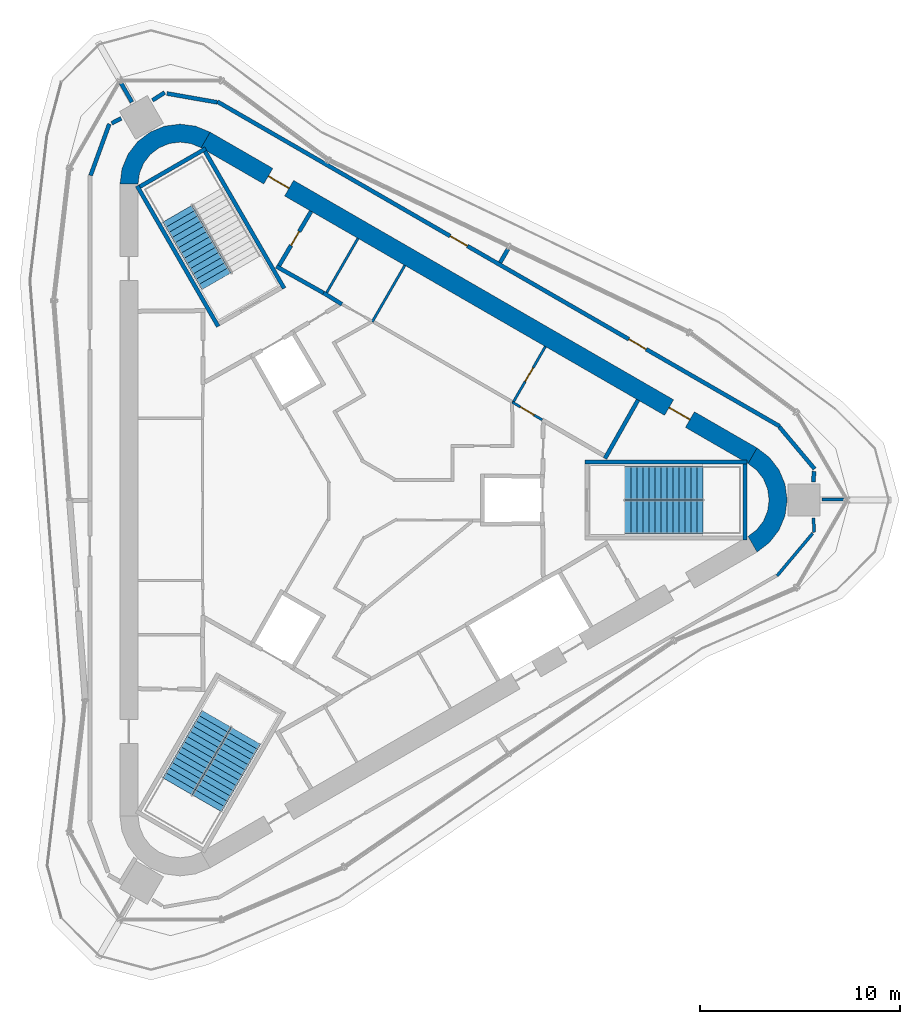
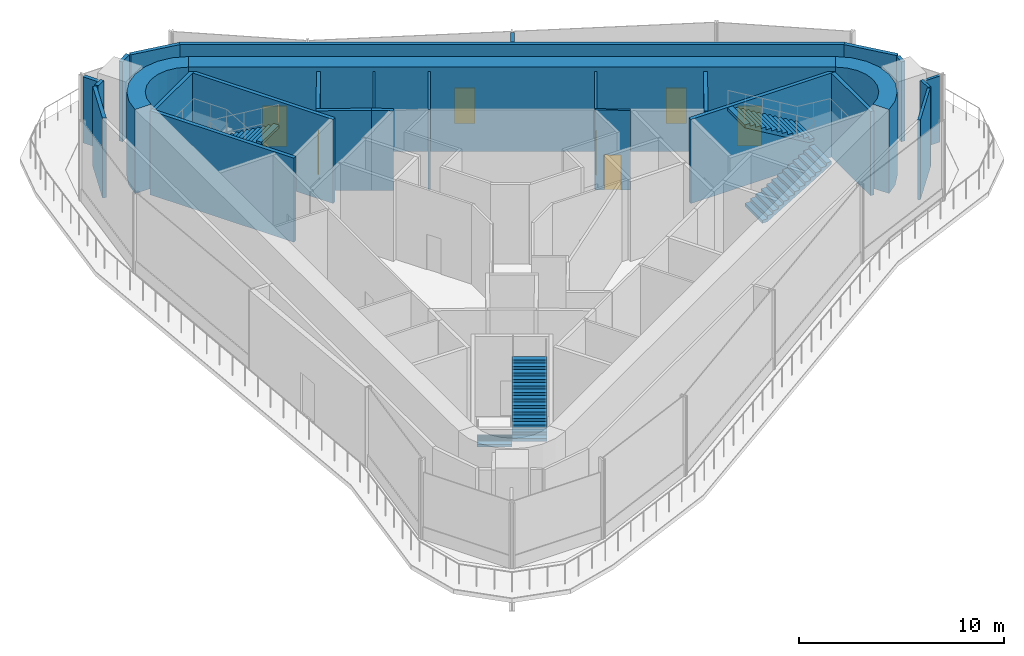
# One storey, part 6 of 9: 28 walls, 7 doors, 5 stair flights, 7 openings, 3 elements without a shape of their own.
"""IFC4 building model written with IfcOpenShell, lengths in metres."""

from ifc_helpers import new_model, si_unit, direction, frame, frame_2d, origin, place, context, subcontext, project, spatial, polyline, rectangle, outline, extrude, material, layer, layer_set, type_object, element, fill, aggregate, save


model = new_model("IFC4")

# Units and contexts
model_context = context("Model", 3, precision=1e-05, world=origin(), true_north=direction((0.0, 1.0)))
body_context = subcontext(model_context, "Body", "Model", "MODEL_VIEW")
ifc_project = project(units=[si_unit("LENGTHUNIT", "METRE"), si_unit("AREAUNIT", "SQUARE_METRE"), si_unit("VOLUMEUNIT", "CUBIC_METRE"), si_unit("PLANEANGLEUNIT", "RADIAN"), si_unit("MASSUNIT", "GRAM", prefix="KILO")], contexts=[model_context])

# Site, building, storey
site_placement = place(None, origin())
site = spatial("IfcSite", under=ifc_project, at=site_placement, CompositionType="ELEMENT")
building_placement = place(site_placement, origin())
building = spatial("IfcBuilding", under=site, at=building_placement, Name="Tanit Gate Tower", CompositionType="ELEMENT")
storey_placement = place(building_placement, frame((0.0, 0.0, 430.300048828125)))
storey = spatial("IfcBuildingStorey", under=building, at=storey_placement, Name="L97", CompositionType="ELEMENT", Elevation=430.300048828125)

# Wall, openings, doors
ifc_material_1 = material(Name="Concrete C40/50", Category="concrete")
ifc_layer_1 = layer(ifc_material_1, 0.89990234375)
ifc_layer_set_1 = layer_set([ifc_layer_1], Name="CORE WALL 900 C40/50")
wall_type_1 = type_object("IfcWallType", Name="CORE WALL 900 C40/50", PredefinedType="SHEAR", material=ifc_layer_set_1)
wall_1_placement = place(storey_placement, frame((19.47509765625, 2.20849609375, 0.0), z_axis=(0.0, 0.0, 1.0), x_axis=(-0.866028369851, 0.499994862586, 0.0)))
wall_1 = element("IfcWall", 1, at=wall_1_placement, inside=storey, type_object=wall_type_1, Name="CORE WALL", PredefinedType="SHEAR", context=body_context, shape_type="SweptSolid", body=[
    extrude(rectangle(XDim=31.523193359375, YDim=0.89990234375, at=frame_2d((15.76171875, 0.0))), origin(), (0.0, 0.0, 1.0), 5.0),
])
opening_1_placement = place(wall_1_placement, frame((3.611572265625, 0.0, 0.0)))
opening_1 = element("IfcOpeningElement", 2, at=opening_1_placement, cuts=wall_1, Name="Opening F12-97-FL1", PredefinedType="OPENING", context=body_context, shape_type="SweptSolid", body=[
    extrude(rectangle(XDim=1.199951171875, YDim=2.39990234375, at=frame_2d((0.60009765625, 1.199951171875))), frame((0.0, 0.4599609375, 0.0), z_axis=(0.0, -1.0, 0.0), x_axis=(1.0, 0.0, 0.0)), (0.0, 0.0, 1.0), 0.919921875),
])
opening_2_placement = place(wall_1_placement, frame((26.711669921875, 0.0, 0.0)))
opening_2 = element("IfcOpeningElement", 3, at=opening_2_placement, cuts=wall_1, Name="Opening F12-97-S2", PredefinedType="OPENING", context=body_context, shape_type="SweptSolid", body=[
    extrude(rectangle(XDim=1.199951171875, YDim=2.39990234375, at=frame_2d((0.60009765625, 1.199951171875))), frame((0.0, 0.4599609375, 0.0), z_axis=(0.0, -1.0, 0.0), x_axis=(1.0, 0.0, 0.0)), (0.0, 0.0, 1.0), 0.919921875),
])
ifc_material_2 = material(Name="Fire-rated steel door leaf", Category="steel")
door_type_1 = type_object("IfcDoorType", Name="INT-DOOR-FIRE-LOBBY-1200", OperationType="NOTDEFINED", PredefinedType="USERDEFINED", material=ifc_material_2)
door_1_placement = place(opening_1_placement, origin())
door_1 = element("IfcDoor", 4, at=door_1_placement, inside=storey, type_object=door_type_1, Name="Door F12-97-FL1", ObjectType="FIRE DOOR", OperationType="SINGLE_SWING_LEFT", OverallHeight=2.39990234375, OverallWidth=1.199951171875, PredefinedType="USERDEFINED", context=body_context, shape_type="SweptSolid", body=[
    extrude(rectangle(XDim=1.199951171875, YDim=2.39990234375, at=frame_2d((0.60009765625, 1.199951171875))), frame((0.0, 0.02490234375, 0.0), z_axis=(0.0, -1.0, 0.0), x_axis=(1.0, 0.0, 0.0)), (0.0, 0.0, 1.0), 0.050048828125),
])
fill(opening_1, door_1)
door_2_placement = place(opening_2_placement, origin())
door_2 = element("IfcDoor", 5, at=door_2_placement, inside=storey, type_object=door_type_1, Name="Door F12-97-S2", ObjectType="FIRE DOOR", OperationType="SINGLE_SWING_LEFT", OverallHeight=2.39990234375, OverallWidth=1.199951171875, PredefinedType="USERDEFINED", context=body_context, shape_type="SweptSolid", body=[
    extrude(rectangle(XDim=1.199951171875, YDim=2.39990234375, at=frame_2d((0.60009765625, 1.199951171875))), frame((0.0, 0.02490234375, 0.0), z_axis=(0.0, -1.0, 0.0), x_axis=(1.0, 0.0, 0.0)), (0.0, 0.0, 1.0), 0.050048828125),
])
fill(opening_2, door_2)

# Walls
wall_2_placement = place(storey_placement, origin())
element("IfcWall", 6, at=wall_2_placement, inside=storey, type_object=wall_type_1, Name="CORE WALL CORNER", PredefinedType="SHEAR", context=body_context, shape_type="SweptSolid", body=[
    extrude(outline(polyline([(-7.60009765625, 18.359619140625), (-8.323486328125, 18.659423828125), (-9.10009765625, 18.76171875), (-9.87646484375, 18.659423828125), (-10.60009765625, 18.359619140625), (-11.22119140625, 17.883056640625), (-11.697998046875, 17.26171875), (-11.997802734375, 16.5380859375), (-12.10009765625, 15.76171875), (-11.199951171875, 15.76171875), (-11.12841796875, 16.30517578125), (-10.918701171875, 16.811767578125), (-10.5849609375, 17.24658203125), (-10.14990234375, 17.580322265625), (-9.6435546875, 17.7900390625), (-9.10009765625, 17.86181640625), (-8.556396484375, 17.7900390625), (-8.050048828125, 17.580322265625), (-7.60009765625, 18.359619140625)])), origin(), (0.0, 0.0, 1.0), 5.0),
])
wall_3_placement = place(storey_placement, origin())
element("IfcWall", 7, at=wall_3_placement, inside=storey, type_object=wall_type_1, Name="CORE WALL CORNER", PredefinedType="SHEAR", context=body_context, shape_type="SweptSolid", body=[
    extrude(outline(polyline([(19.699951171875, -2.59814453125), (20.3212890625, -2.121337890625), (20.798095703125, -1.5), (21.097900390625, -0.776611328125), (21.199951171875, 0.0), (21.097900390625, 0.776611328125), (20.798095703125, 1.5), (20.3212890625, 2.121337890625), (19.699951171875, 2.59814453125), (19.25, 1.818603515625), (19.684814453125, 1.48486328125), (20.018798828125, 1.050048828125), (20.228515625, 0.54345703125), (20.300048828125, 0.0), (20.228515625, -0.54345703125), (20.018798828125, -1.050048828125), (19.684814453125, -1.48486328125), (19.25, -1.818603515625), (19.699951171875, -2.59814453125)])), origin(), (0.0, 0.0, 1.0), 5.0),
])
ifc_material_3 = material(Name="Fire-rated gypsum board partition")
ifc_layer_2 = layer(ifc_material_3, 0.199951171875)
ifc_layer_set_2 = layer_set([ifc_layer_2], Name="INT-WALL-COMPARTMENT")
wall_type_2 = type_object("IfcWallType", Name="INT-WALL-COMPARTMENT", PredefinedType="PARTITIONING", material=ifc_layer_set_2)
wall_4_placement = place(storey_placement, frame((12.10986328125, 2.07275390625, 0.0), z_axis=(0.0, 0.0, 1.0), x_axis=(0.49196600604, 0.870614408852, 0.0)))
element("IfcWall", 8, at=wall_4_placement, inside=storey, type_object=wall_type_2, Name="Wall Compartment W045", PredefinedType="PARTITIONING", context=body_context, shape_type="SweptSolid", body=[
    extrude(rectangle(XDim=3.35009765625, YDim=0.199951171875, at=frame_2d((1.675048828125, 0.0))), origin(), (0.0, 0.0, 1.0), 4.75),
])
wall_5_placement = place(storey_placement, frame((-1.940673828125, 10.338623046875, 0.0), z_axis=(0.0, 0.0, 1.0), x_axis=(0.850216889117, -0.526432561171, 0.0)))
element("IfcWall", 9, at=wall_5_placement, inside=storey, type_object=wall_type_2, Name="Wall Compartment W051", PredefinedType="PARTITIONING", context=body_context, shape_type="SweptSolid", body=[
    extrude(rectangle(XDim=1.078369140625, YDim=0.199951171875, at=frame_2d((0.5390625, 0.0))), origin(), (0.0, 0.0, 1.0), 4.75),
])
wall_6_placement = place(storey_placement, frame((-4.296142578125, 11.658935546875, 0.0), z_axis=(0.0, 0.0, 1.0), x_axis=(0.871534483978, -0.490334215854, 0.0)))
element("IfcWall", 10, at=wall_6_placement, inside=storey, type_object=wall_type_2, Name="Wall Compartment W053", PredefinedType="PARTITIONING", context=body_context, shape_type="SweptSolid", body=[
    extrude(rectangle(XDim=2.7001953125, YDim=0.199951171875, at=frame_2d((1.35009765625, 0.0))), origin(), (0.0, 0.0, 1.0), 4.75),
])

# Wall, opening, door
wall_7_placement = place(storey_placement, frame((-2.557861328125, 14.409423828125, 0.0), z_axis=(0.0, 0.0, 1.0), x_axis=(-0.508018930956, -0.861345903683, 0.0)))
wall_7 = element("IfcWall", 11, at=wall_7_placement, inside=storey, type_object=wall_type_2, Name="Wall Compartment W054", PredefinedType="PARTITIONING", context=body_context, shape_type="SweptSolid", body=[
    extrude(rectangle(XDim=3.150146484375, YDim=0.199951171875, at=frame_2d((1.5751953125, 0.0))), origin(), (0.0, 0.0, 1.0), 4.75),
])
opening_3_placement = place(wall_7_placement, frame((1.175048828125, 0.0, 0.0)))
opening_3 = element("IfcOpeningElement", 12, at=opening_3_placement, cuts=wall_7, Name="Opening R08-97-21", PredefinedType="OPENING", context=body_context, shape_type="SweptSolid", body=[
    extrude(rectangle(XDim=0.800048828125, YDim=2.10009765625, at=frame_2d((0.39990234375, 1.050048828125))), frame((0.0, 0.10986328125, 0.0), z_axis=(0.0, -1.0, 0.0), x_axis=(1.0, 0.0, 0.0)), (0.0, 0.0, 1.0), 0.219970703125),
])
ifc_material_4 = material(Name="Timber door leaf", Category="wood")
door_type_2 = type_object("IfcDoorType", Name="INT-DOOR-RISER-800", OperationType="NOTDEFINED", PredefinedType="USERDEFINED", material=ifc_material_4)
door_3_placement = place(opening_3_placement, origin())
door_3 = element("IfcDoor", 13, at=door_3_placement, inside=storey, type_object=door_type_2, Name="Door R08-97-21", ObjectType="FIRE DOOR", OperationType="SINGLE_SWING_RIGHT", OverallHeight=2.10009765625, OverallWidth=0.800048828125, PredefinedType="USERDEFINED", context=body_context, shape_type="SweptSolid", body=[
    extrude(rectangle(XDim=0.800048828125, YDim=2.10009765625, at=frame_2d((0.39990234375, 1.050048828125))), frame((0.0, 0.02490234375, 0.0), z_axis=(0.0, -1.0, 0.0), x_axis=(1.0, 0.0, 0.0)), (0.0, 0.0, 1.0), 0.050048828125),
])
fill(opening_3, door_3)

# Walls
wall_8_placement = place(storey_placement, frame((-12.6298828125, 18.771240234375, 0.0), z_axis=(0.0, 0.0, 1.0), x_axis=(-0.342015224264, -0.939694411163, 0.0)))
element("IfcWall", 14, at=wall_8_placement, inside=storey, type_object=wall_type_2, Name="Wall Compartment W097", PredefinedType="PARTITIONING", context=body_context, shape_type="SweptSolid", body=[
    extrude(rectangle(XDim=2.73681640625, YDim=0.199951171875, at=frame_2d((1.368408203125, 0.0))), origin(), (0.0, 0.0, 1.0), 4.75),
])
wall_9_placement = place(storey_placement, frame((-12.03759765625, 19.049560546875, 0.0), z_axis=(0.0, 0.0, 1.0), x_axis=(-0.887186880255, -0.461410272429, 0.0)))
element("IfcWall", 15, at=wall_9_placement, inside=storey, type_object=wall_type_2, Name="Wall Compartment W098", PredefinedType="PARTITIONING", context=body_context, shape_type="SweptSolid", body=[
    extrude(rectangle(XDim=0.534423828125, YDim=0.199951171875, at=frame_2d((0.26708984375, 0.0))), origin(), (0.0, 0.0, 1.0), 4.75),
])
wall_10_placement = place(storey_placement, frame((-11.50146484375, 19.861083984375, 0.0), z_axis=(0.0, 0.0, 1.0), x_axis=(-0.500107244371, 0.865963477364, 0.0)))
element("IfcWall", 16, at=wall_10_placement, inside=storey, type_object=wall_type_2, Name="Wall Compartment W101", PredefinedType="PARTITIONING", context=body_context, shape_type="SweptSolid", body=[
    extrude(rectangle(XDim=1.098388671875, YDim=0.199951171875, at=frame_2d((0.54931640625, 0.0))), origin(), (0.0, 0.0, 1.0), 3.929931640625),
])

# Wall, openings, doors
wall_11_placement = place(storey_placement, frame((20.83447265625, 3.67529296875, 0.0), z_axis=(0.0, 0.0, 1.0), x_axis=(-0.866028536494, 0.499994573949, 0.0)))
wall_11 = element("IfcWall", 17, at=wall_11_placement, inside=storey, type_object=wall_type_2, Name="Wall Compartment W102", PredefinedType="PARTITIONING", context=body_context, shape_type="SweptSolid", body=[
    extrude(rectangle(XDim=32.410888671875, YDim=0.199951171875, at=frame_2d((16.20556640625, 0.0))), origin(), (0.0, 0.0, 1.0), 4.75),
])
opening_4_placement = place(wall_11_placement, frame((7.699951171875, 0.0, 0.0)))
opening_4 = element("IfcOpeningElement", 18, at=opening_4_placement, cuts=wall_11, Name="Opening F10-97-28", PredefinedType="OPENING", context=body_context, shape_type="SweptSolid", body=[
    extrude(rectangle(XDim=1.0, YDim=2.10009765625, at=frame_2d((0.5, 1.050048828125))), frame((0.0, 0.10986328125, 0.0), z_axis=(0.0, -1.0, 0.0), x_axis=(1.0, 0.0, 0.0)), (0.0, 0.0, 1.0), 0.219970703125),
])
opening_5_placement = place(wall_11_placement, frame((18.005615234375, 0.0, 0.0)))
opening_5 = element("IfcOpeningElement", 19, at=opening_5_placement, cuts=wall_11, Name="Opening F10-97-29", PredefinedType="OPENING", context=body_context, shape_type="SweptSolid", body=[
    extrude(rectangle(XDim=1.0, YDim=2.10009765625, at=frame_2d((0.5, 1.050048828125))), frame((0.0, 0.10986328125, 0.0), z_axis=(0.0, -1.0, 0.0), x_axis=(1.0, 0.0, 0.0)), (0.0, 0.0, 1.0), 0.219970703125),
])
ifc_material_5 = material(Name="Fire-rated steel door leaf", Category="steel")
door_type_3 = type_object("IfcDoorType", Name="INT-DOOR-FIRE-1000", OperationType="NOTDEFINED", PredefinedType="USERDEFINED", material=ifc_material_5)
door_4_placement = place(opening_4_placement, origin())
door_4 = element("IfcDoor", 20, at=door_4_placement, inside=storey, type_object=door_type_3, Name="Door F10-97-28", ObjectType="FIRE DOOR", OperationType="SINGLE_SWING_RIGHT", OverallHeight=2.10009765625, OverallWidth=1.0, PredefinedType="USERDEFINED", context=body_context, shape_type="SweptSolid", body=[
    extrude(rectangle(XDim=1.0, YDim=2.10009765625, at=frame_2d((0.5, 1.050048828125))), frame((0.0, 0.02490234375, 0.0), z_axis=(0.0, -1.0, 0.0), x_axis=(1.0, 0.0, 0.0)), (0.0, 0.0, 1.0), 0.050048828125),
])
fill(opening_4, door_4)
door_5_placement = place(opening_5_placement, origin())
door_5 = element("IfcDoor", 21, at=door_5_placement, inside=storey, type_object=door_type_3, Name="Door F10-97-29", ObjectType="FIRE DOOR", OperationType="SINGLE_SWING_LEFT", OverallHeight=2.10009765625, OverallWidth=1.0, PredefinedType="USERDEFINED", context=body_context, shape_type="SweptSolid", body=[
    extrude(rectangle(XDim=1.0, YDim=2.10009765625, at=frame_2d((0.5, 1.050048828125))), frame((0.0, 0.02490234375, 0.0), z_axis=(0.0, -1.0, 0.0), x_axis=(1.0, 0.0, 0.0)), (0.0, 0.0, 1.0), 0.050048828125),
])
fill(opening_5, door_5)

# Walls
wall_12_placement = place(storey_placement, frame((22.5712890625, 1.552001953125, 0.0), z_axis=(0.0, 0.0, 1.0), x_axis=(-0.642777788023, 0.766052684366, 0.0)))
element("IfcWall", 22, at=wall_12_placement, inside=storey, type_object=wall_type_2, Name="Wall Compartment W103", PredefinedType="PARTITIONING", context=body_context, shape_type="SweptSolid", body=[
    extrude(rectangle(XDim=2.737060546875, YDim=0.199951171875, at=frame_2d((1.36865234375, 0.0))), origin(), (0.0, 0.0, 1.0), 4.75),
])
wall_13_placement = place(storey_placement, frame((22.51611328125, 0.89990234375, 0.0), z_axis=(0.0, 0.0, 1.0), x_axis=(0.044289222506, 0.99901875096, 0.0)))
element("IfcWall", 23, at=wall_13_placement, inside=storey, type_object=wall_type_2, Name="Wall Compartment W104", PredefinedType="PARTITIONING", context=body_context, shape_type="SweptSolid", body=[
    extrude(rectangle(XDim=0.53466796875, YDim=0.199951171875, at=frame_2d((0.267333984375, 0.0))), origin(), (0.0, 0.0, 1.0), 4.75),
])
wall_14_placement = place(storey_placement, frame((-9.870361328125, 20.33740234375, 0.0), z_axis=(0.0, 0.0, 1.0), x_axis=(-0.843326891705, -0.537400924569, 0.0)))
element("IfcWall", 24, at=wall_14_placement, inside=storey, type_object=wall_type_2, Name="Wall Compartment W105", PredefinedType="PARTITIONING", context=body_context, shape_type="SweptSolid", body=[
    extrude(rectangle(XDim=0.721435546875, YDim=0.199951171875, at=frame_2d((0.36083984375, 0.0))), origin(), (0.0, 0.0, 1.0), 4.75),
])
wall_15_placement = place(storey_placement, frame((-7.246337890625, 19.84814453125, 0.0), z_axis=(0.0, 0.0, 1.0), x_axis=(-0.984816315713, 0.173599609177, 0.0)))
element("IfcWall", 25, at=wall_15_placement, inside=storey, type_object=wall_type_2, Name="Wall Compartment W106", PredefinedType="PARTITIONING", context=body_context, shape_type="SweptSolid", body=[
    extrude(rectangle(XDim=2.5498046875, YDim=0.199951171875, at=frame_2d((1.27490234375, 0.0))), origin(), (0.0, 0.0, 1.0), 4.75),
])
wall_16_placement = place(storey_placement, frame((7.271240234375, 12.5341796875, 0.0), z_axis=(0.0, 0.0, 1.0), x_axis=(-0.500025443912, -0.866010713236, 0.0)))
element("IfcWall", 26, at=wall_16_placement, inside=storey, type_object=wall_type_2, Name="Wall Compartment W108", PredefinedType="PARTITIONING", context=body_context, shape_type="SweptSolid", body=[
    extrude(rectangle(XDim=0.79052734375, YDim=0.199951171875, at=frame_2d((0.395263671875, 0.0))), origin(), (0.0, 0.0, 1.0), 4.75),
])

# Wall, opening, door
ifc_material_6 = material(Name="Gypsum board partition")
ifc_layer_3 = layer(ifc_material_6, 0.1201171875)
ifc_layer_set_3 = layer_set([ifc_layer_3], Name="INT-WALL-PARTITION")
wall_type_3 = type_object("IfcWallType", Name="INT-WALL-PARTITION", PredefinedType="PARTITIONING", material=ifc_layer_set_3)
wall_17_placement = place(storey_placement, frame((7.50830078125, 4.844970703125, 0.0), z_axis=(0.0, 0.0, 1.0), x_axis=(0.500017246033, 0.866015446554, 0.0)))
wall_17 = element("IfcWall", 27, at=wall_17_placement, inside=storey, type_object=wall_type_3, Name="Wall Partition W044", PredefinedType="PARTITIONING", context=body_context, shape_type="SweptSolid", body=[
    extrude(rectangle(XDim=3.25, YDim=0.1201171875, at=frame_2d((1.625, 0.0))), origin(), (0.0, 0.0, 1.0), 4.75),
])
opening_6_placement = place(wall_17_placement, frame((1.22509765625, 0.0, 0.0)))
opening_6 = element("IfcOpeningElement", 28, at=opening_6_placement, cuts=wall_17, Name="Opening R08-97-19", PredefinedType="OPENING", context=body_context, shape_type="SweptSolid", body=[
    extrude(rectangle(XDim=0.800048828125, YDim=2.10009765625, at=frame_2d((0.39990234375, 1.050048828125))), frame((0.0, 0.070068359375, 0.0), z_axis=(0.0, -1.0, 0.0), x_axis=(1.0, 0.0, 0.0)), (0.0, 0.0, 1.0), 0.14013671875),
])
door_6_placement = place(opening_6_placement, origin())
door_6 = element("IfcDoor", 29, at=door_6_placement, inside=storey, type_object=door_type_2, Name="Door R08-97-19", ObjectType="FIRE DOOR", OperationType="SINGLE_SWING_LEFT", OverallHeight=2.10009765625, OverallWidth=0.800048828125, PredefinedType="USERDEFINED", context=body_context, shape_type="SweptSolid", body=[
    extrude(rectangle(XDim=0.800048828125, YDim=2.10009765625, at=frame_2d((0.39990234375, 1.050048828125))), frame((0.0, 0.02490234375, 0.0), z_axis=(0.0, -1.0, 0.0), x_axis=(1.0, 0.0, 0.0)), (0.0, 0.0, 1.0), 0.050048828125),
])
fill(opening_6, door_6)

wall_18_placement = place(storey_placement, frame((7.4931640625, 4.87841796875, 0.0), z_axis=(0.0, 0.0, 1.0), x_axis=(0.859934455514, -0.510404479035, 0.0)))
wall_18 = element("IfcWall", 30, at=wall_18_placement, inside=storey, type_object=wall_type_3, Name="Wall Partition W047", PredefinedType="PARTITIONING", context=body_context, shape_type="SweptSolid", body=[
    extrude(rectangle(XDim=1.722412109375, YDim=0.1201171875, at=frame_2d((0.861328125, 0.0))), origin(), (0.0, 0.0, 1.0), 4.75),
])
opening_7_placement = place(wall_18_placement, frame((0.461181640625, 0.0, 0.0)))
opening_7 = element("IfcOpeningElement", 31, at=opening_7_placement, cuts=wall_18, Name="Opening R08-97-18", PredefinedType="OPENING", context=body_context, shape_type="SweptSolid", body=[
    extrude(rectangle(XDim=0.800048828125, YDim=2.10009765625, at=frame_2d((0.39990234375, 1.050048828125))), frame((0.0, 0.070068359375, 0.0), z_axis=(0.0, -1.0, 0.0), x_axis=(1.0, 0.0, 0.0)), (0.0, 0.0, 1.0), 0.14013671875),
])
door_7_placement = place(opening_7_placement, origin())
door_7 = element("IfcDoor", 32, at=door_7_placement, inside=storey, type_object=door_type_2, Name="Door R08-97-18", ObjectType="FIRE DOOR", OperationType="SINGLE_SWING_LEFT", OverallHeight=2.10009765625, OverallWidth=0.800048828125, PredefinedType="USERDEFINED", context=body_context, shape_type="SweptSolid", body=[
    extrude(rectangle(XDim=0.800048828125, YDim=2.10009765625, at=frame_2d((0.39990234375, 1.050048828125))), frame((0.0, 0.02490234375, 0.0), z_axis=(0.0, -1.0, 0.0), x_axis=(1.0, 0.0, 0.0)), (0.0, 0.0, 1.0), 0.050048828125),
])
fill(opening_7, door_7)

# Walls
for number, where, z_axis, x_axis, name in (
    (33, (2.11865234375, 11.70947265625, 0.0), (0.0, 0.0, 1.0), (-0.500017246033, -0.866015446554, 0.0), "Wall Partition W048"),
    (34, (-0.2197265625, 13.0595703125, 0.0), (0.0, 0.0, 1.0), (-0.499984717929, -0.866034226713, 0.0), "Wall Partition W050"),
):
    element("IfcWall", number, at=place(storey_placement, frame(where, z_axis=z_axis, x_axis=x_axis)), inside=storey, type_object=wall_type_3, Name=name, PredefinedType="PARTITIONING", context=body_context, shape_type="SweptSolid", body=[
        extrude(rectangle(XDim=3.25, YDim=0.1201171875, at=frame_2d((1.625, 0.0))), origin(), (0.0, 0.0, 1.0), 4.75),
    ])
ifc_material_7 = material(Name="Fire-rated gypsum board partition")
ifc_layer_4 = layer(ifc_material_7, 0.14990234375)
ifc_layer_set_4 = layer_set([ifc_layer_4], Name="INT-WALL-RISER")
wall_type_4 = type_object("IfcWallType", Name="INT-WALL-RISER", PredefinedType="PLUMBINGWALL", material=ifc_layer_set_4)
wall_19_placement = place(storey_placement, frame((22.951171875, 0.030029296875, 0.0), z_axis=(0.0, 0.0, 1.0), x_axis=(1.0, 0.0, 0.0)))
element("IfcWall", 35, at=wall_19_placement, inside=storey, type_object=wall_type_4, Name="Wall Riser W109", PredefinedType="PLUMBINGWALL", context=body_context, shape_type="SweptSolid", body=[
    extrude(rectangle(XDim=1.09814453125, YDim=0.14990234375, at=frame_2d((0.549072265625, 0.0))), origin(), (0.0, 0.0, 1.0), 3.929931640625),
])
wall_20_placement = place(storey_placement, frame((22.547607421875, -1.611083984375, 0.0), z_axis=(0.0, 0.0, 1.0), x_axis=(-0.044240884026, 0.999020892765, 0.0)))
element("IfcWall", 36, at=wall_20_placement, inside=storey, type_object=wall_type_4, Name="Wall Riser W113", PredefinedType="PLUMBINGWALL", context=body_context, shape_type="SweptSolid", body=[
    extrude(rectangle(XDim=0.7119140625, YDim=0.14990234375, at=frame_2d((0.35595703125, 0.0))), origin(), (0.0, 0.0, 1.0), 4.75),
])
wall_21_placement = place(storey_placement, frame((20.699462890625, -3.78271484375, 0.0), z_axis=(0.0, 0.0, 1.0), x_axis=(0.642806418139, 0.76602866056, 0.0)))
element("IfcWall", 37, at=wall_21_placement, inside=storey, type_object=wall_type_4, Name="Wall Riser W114", PredefinedType="PLUMBINGWALL", context=body_context, shape_type="SweptSolid", body=[
    extrude(rectangle(XDim=2.761962890625, YDim=0.14990234375, at=frame_2d((1.380859375, 0.0))), origin(), (0.0, 0.0, 1.0), 4.75),
])
ifc_material_8 = material(Name="Concrete C40/50", Category="concrete")
ifc_layer_5 = layer(ifc_material_8, 0.199951171875)
ifc_layer_set_5 = layer_set([ifc_layer_5], Name="INT-WALL-STAIR")
wall_type_5 = type_object("IfcWallType", Name="INT-WALL-STAIR", PredefinedType="SHEAR", material=ifc_layer_set_5)
wall_22_placement = place(storey_placement, frame((19.199951171875, 1.89990234375, -0.25), z_axis=(0.0, 0.0, 1.0), x_axis=(-1.0, 0.0, 0.0)))
element("IfcWall", 38, at=wall_22_placement, inside=storey, type_object=wall_type_5, Name="Wall Stair W006", PredefinedType="SHEAR", context=body_context, shape_type="SweptSolid", body=[
    extrude(rectangle(XDim=8.099853515625, YDim=0.199951171875, at=frame_2d((4.0498046875, 0.0))), origin(), (0.0, 0.0, 1.0), 5.0),
])
wall_23_placement = place(storey_placement, frame((19.10009765625, -2.0, -0.25), z_axis=(0.0, 0.0, 1.0), x_axis=(0.0, 1.0, 0.0)))
element("IfcWall", 39, at=wall_23_placement, inside=storey, type_object=wall_type_5, Name="Wall Stair W007", PredefinedType="SHEAR", context=body_context, shape_type="SweptSolid", body=[
    extrude(rectangle(XDim=3.800048828125, YDim=0.199951171875, at=frame_2d((1.89990234375, 0.0))), origin(), (0.0, 0.0, 1.0), 5.0),
])
wall_24_placement = place(storey_placement, frame((-11.245361328125, 15.677734375, -0.25), z_axis=(0.0, 0.0, 1.0), x_axis=(0.499977274689, -0.866038523851, 0.0)))
element("IfcWall", 40, at=wall_24_placement, inside=storey, type_object=wall_type_5, Name="Wall Stair W015", PredefinedType="SHEAR", context=body_context, shape_type="SweptSolid", body=[
    extrude(rectangle(XDim=8.10009765625, YDim=0.199951171875, at=frame_2d((4.050048828125, 0.0))), origin(), (0.0, 0.0, 1.0), 5.0),
])
wall_25_placement = place(storey_placement, frame((-7.81787109375, 17.541015625, -0.25), z_axis=(0.0, 0.0, 1.0), x_axis=(-0.866044365799, -0.499967155389, 0.0)))
element("IfcWall", 41, at=wall_25_placement, inside=storey, type_object=wall_type_5, Name="Wall Stair W016", PredefinedType="SHEAR", context=body_context, shape_type="SweptSolid", body=[
    extrude(rectangle(XDim=3.800048828125, YDim=0.199951171875, at=frame_2d((1.89990234375, 0.0))), origin(), (0.0, 0.0, 1.0), 5.0),
])
wall_26_placement = place(storey_placement, frame((-7.8544921875, 17.404541015625, -0.25), z_axis=(0.0, 0.0, 1.0), x_axis=(0.499997992926, -0.866026562566, 0.0)))
element("IfcWall", 42, at=wall_26_placement, inside=storey, type_object=wall_type_5, Name="Wall Stair W017", PredefinedType="SHEAR", context=body_context, shape_type="SweptSolid", body=[
    extrude(rectangle(XDim=7.89990234375, YDim=0.199951171875, at=frame_2d((3.949951171875, 0.0))), origin(), (0.0, 0.0, 1.0), 5.0),
])

# Stair, stair flights
ifc_material_9 = material(Name="Concrete C40/50", Category="concrete")
stair_type = type_object("IfcStairType", Name="INT-STAIR-EXIT", PredefinedType="HALF_TURN_STAIR", material=ifc_material_9)
stair_1_placement = place(storey_placement, origin())
stair_1 = element("IfcStair", 43, at=stair_1_placement, inside=storey, type_object=stair_type, Name="L97 STAIR S1", PredefinedType="HALF_TURN_STAIR")
ifc_material_10 = material(Name="Concrete C40/50", Category="concrete")
stair_flight_type = type_object("IfcStairFlightType", Name="INT-STAIR-FLIGHT", PredefinedType="STRAIGHT", material=ifc_material_10)
stair_flight_1_placement = place(storey_placement, frame((13.094970703125, -0.8525390625, 0.0), z_axis=(0.0, 0.0, 1.0), x_axis=(1.0, 0.0, 0.0)))
stair_flight_1 = element("IfcStairFlight", 44, at=stair_flight_1_placement, type_object=stair_flight_type, Name="S1 flight 1", NumberOfRisers=14, NumberOfTreads=13, PredefinedType="STRAIGHT", RiserHeight=0.178571429, TreadLength=0.3, context=body_context, shape_type="SweptSolid", body=[
    extrude(outline(polyline([(0.0, 0.0), (0.0, 0.178466796875), (0.300048828125, 0.178466796875), (0.300048828125, 0.357177734375), (0.60009765625, 0.357177734375), (0.60009765625, 0.53564453125), (0.89990234375, 0.53564453125), (0.89990234375, 0.71435546875), (1.199951171875, 0.71435546875), (1.199951171875, 0.892822265625), (1.5, 0.892822265625), (1.5, 1.071533203125), (1.800048828125, 1.071533203125), (1.800048828125, 1.25), (2.10009765625, 1.25), (2.10009765625, 1.428466796875), (2.39990234375, 1.428466796875), (2.39990234375, 1.607177734375), (2.699951171875, 1.607177734375), (2.699951171875, 1.78564453125), (3.0, 1.78564453125), (3.0, 1.96435546875), (3.300048828125, 1.96435546875), (3.300048828125, 2.142822265625), (3.60009765625, 2.142822265625), (3.60009765625, 2.321533203125), (3.89990234375, 2.321533203125), (3.89990234375, 2.5), (3.89990234375, 2.14697265625), (0.29296875, 0.0), (0.0, 0.0)])), frame((0.0, 0.84765625, 0.0), z_axis=(0.0, -1.0, 0.0), x_axis=(1.0, 0.0, 0.0)), (0.0, 0.0, 1.0), 1.695068359375),
])
stair_flight_2_placement = place(storey_placement, frame((16.9951171875, 0.8525390625, 2.5), z_axis=(0.0, 0.0, 1.0), x_axis=(-1.0, 0.0, 0.0)))
stair_flight_2 = element("IfcStairFlight", 45, at=stair_flight_2_placement, type_object=stair_flight_type, Name="S1 flight 2", NumberOfRisers=14, NumberOfTreads=13, PredefinedType="STRAIGHT", RiserHeight=0.178571429, TreadLength=0.3, context=body_context, shape_type="SweptSolid", body=[
    extrude(outline(polyline([(0.0, 0.0), (0.0, 0.178466796875), (0.300048828125, 0.178466796875), (0.300048828125, 0.357177734375), (0.60009765625, 0.357177734375), (0.60009765625, 0.53564453125), (0.89990234375, 0.53564453125), (0.89990234375, 0.71435546875), (1.199951171875, 0.71435546875), (1.199951171875, 0.892822265625), (1.5, 0.892822265625), (1.5, 1.071533203125), (1.800048828125, 1.071533203125), (1.800048828125, 1.25), (2.10009765625, 1.25), (2.10009765625, 1.428466796875), (2.39990234375, 1.428466796875), (2.39990234375, 1.607177734375), (2.699951171875, 1.607177734375), (2.699951171875, 1.78564453125), (3.0, 1.78564453125), (3.0, 1.96435546875), (3.300048828125, 1.96435546875), (3.300048828125, 2.142822265625), (3.60009765625, 2.142822265625), (3.60009765625, 2.321533203125), (3.89990234375, 2.321533203125), (3.89990234375, 2.5), (3.89990234375, 2.14697265625), (0.29296875, 0.0), (0.0, 0.0)])), frame((0.0, 0.84765625, 0.0), z_axis=(0.0, -1.0, 0.0), x_axis=(1.0, 0.0, 0.0)), (0.0, 0.0, 1.0), 1.695068359375),
])
aggregate(stair_1, [stair_flight_1, stair_flight_2])

# Stair, stair flight
stair_2_placement = place(storey_placement, origin())
stair_2 = element("IfcStair", 46, at=stair_2_placement, inside=storey, type_object=stair_type, Name="L97 STAIR S2", PredefinedType="HALF_TURN_STAIR")
stair_flight_3_placement = place(storey_placement, frame((-9.23583984375, 14.290771484375, 2.5), z_axis=(0.0, 0.0, 1.0), x_axis=(0.5, -0.866025403784, 0.0)))
stair_flight_3 = element("IfcStairFlight", 47, at=stair_flight_3_placement, type_object=stair_flight_type, Name="S2 flight 2", NumberOfRisers=14, NumberOfTreads=13, PredefinedType="STRAIGHT", RiserHeight=0.178571429, TreadLength=0.3, context=body_context, shape_type="SweptSolid", body=[
    extrude(outline(polyline([(0.0, 0.0), (0.0, 0.178466796875), (0.300048828125, 0.178466796875), (0.300048828125, 0.357177734375), (0.60009765625, 0.357177734375), (0.60009765625, 0.53564453125), (0.89990234375, 0.53564453125), (0.89990234375, 0.71435546875), (1.199951171875, 0.71435546875), (1.199951171875, 0.892822265625), (1.5, 0.892822265625), (1.5, 1.071533203125), (1.800048828125, 1.071533203125), (1.800048828125, 1.25), (2.10009765625, 1.25), (2.10009765625, 1.428466796875), (2.39990234375, 1.428466796875), (2.39990234375, 1.607177734375), (2.699951171875, 1.607177734375), (2.699951171875, 1.78564453125), (3.0, 1.78564453125), (3.0, 1.96435546875), (3.300048828125, 1.96435546875), (3.300048828125, 2.142822265625), (3.60009765625, 2.142822265625), (3.60009765625, 2.321533203125), (3.89990234375, 2.321533203125), (3.89990234375, 2.5), (3.89990234375, 2.14697265625), (0.29296875, 0.0), (0.0, 0.0)])), frame((0.0, 0.84716796875, 0.0), z_axis=(0.0, -1.0, 0.0), x_axis=(1.0, 0.0, 0.0)), (0.0, 0.0, 1.0), 1.694091796875),
])
aggregate(stair_2, [stair_flight_3])

# Stair, stair flights
stair_3_placement = place(storey_placement, origin())
stair_3 = element("IfcStair", 48, at=stair_3_placement, inside=storey, type_object=stair_type, Name="L97 STAIR S3", PredefinedType="HALF_TURN_STAIR")
stair_flight_4_placement = place(storey_placement, frame((-7.285888671875, -10.914306640625, 0.0), z_axis=(0.0, 0.0, 1.0), x_axis=(-0.5, -0.866025403784, 0.0)))
stair_flight_4 = element("IfcStairFlight", 49, at=stair_flight_4_placement, type_object=stair_flight_type, Name="S3 flight 1", NumberOfRisers=14, NumberOfTreads=13, PredefinedType="STRAIGHT", RiserHeight=0.178571429, TreadLength=0.3, context=body_context, shape_type="SweptSolid", body=[
    extrude(outline(polyline([(0.0, 0.0), (0.0, 0.178466796875), (0.300048828125, 0.178466796875), (0.300048828125, 0.357177734375), (0.60009765625, 0.357177734375), (0.60009765625, 0.53564453125), (0.89990234375, 0.53564453125), (0.89990234375, 0.71435546875), (1.199951171875, 0.71435546875), (1.199951171875, 0.892822265625), (1.5, 0.892822265625), (1.5, 1.071533203125), (1.800048828125, 1.071533203125), (1.800048828125, 1.25), (2.10009765625, 1.25), (2.10009765625, 1.428466796875), (2.39990234375, 1.428466796875), (2.39990234375, 1.607177734375), (2.699951171875, 1.607177734375), (2.699951171875, 1.78564453125), (3.0, 1.78564453125), (3.0, 1.96435546875), (3.300048828125, 1.96435546875), (3.300048828125, 2.142822265625), (3.60009765625, 2.142822265625), (3.60009765625, 2.321533203125), (3.89990234375, 2.321533203125), (3.89990234375, 2.5), (3.89990234375, 2.14697265625), (0.29296875, 0.0), (0.0, 0.0)])), frame((0.0, 0.84765625, 0.0), z_axis=(0.0, -1.0, 0.0), x_axis=(1.0, 0.0, 0.0)), (0.0, 0.0, 1.0), 1.695068359375),
])
stair_flight_5_placement = place(storey_placement, frame((-7.75927734375, -15.144287109375, 2.5), z_axis=(0.0, 0.0, 1.0), x_axis=(0.5, 0.866025403784, 0.0)))
stair_flight_5 = element("IfcStairFlight", 50, at=stair_flight_5_placement, type_object=stair_flight_type, Name="S3 flight 2", NumberOfRisers=14, NumberOfTreads=13, PredefinedType="STRAIGHT", RiserHeight=0.178571429, TreadLength=0.3, context=body_context, shape_type="SweptSolid", body=[
    extrude(outline(polyline([(0.0, 0.0), (0.0, 0.178466796875), (0.300048828125, 0.178466796875), (0.300048828125, 0.357177734375), (0.60009765625, 0.357177734375), (0.60009765625, 0.53564453125), (0.89990234375, 0.53564453125), (0.89990234375, 0.71435546875), (1.199951171875, 0.71435546875), (1.199951171875, 0.892822265625), (1.5, 0.892822265625), (1.5, 1.071533203125), (1.800048828125, 1.071533203125), (1.800048828125, 1.25), (2.10009765625, 1.25), (2.10009765625, 1.428466796875), (2.39990234375, 1.428466796875), (2.39990234375, 1.607177734375), (2.699951171875, 1.607177734375), (2.699951171875, 1.78564453125), (3.0, 1.78564453125), (3.0, 1.96435546875), (3.300048828125, 1.96435546875), (3.300048828125, 2.142822265625), (3.60009765625, 2.142822265625), (3.60009765625, 2.321533203125), (3.89990234375, 2.321533203125), (3.89990234375, 2.5), (3.89990234375, 2.14697265625), (0.29296875, 0.0), (0.0, 0.0)])), frame((0.0, 0.84765625, 0.0), z_axis=(0.0, -1.0, 0.0), x_axis=(1.0, 0.0, 0.0)), (0.0, 0.0, 1.0), 1.695068359375),
])
aggregate(stair_3, [stair_flight_4, stair_flight_5])

save(model, "model.ifc")
